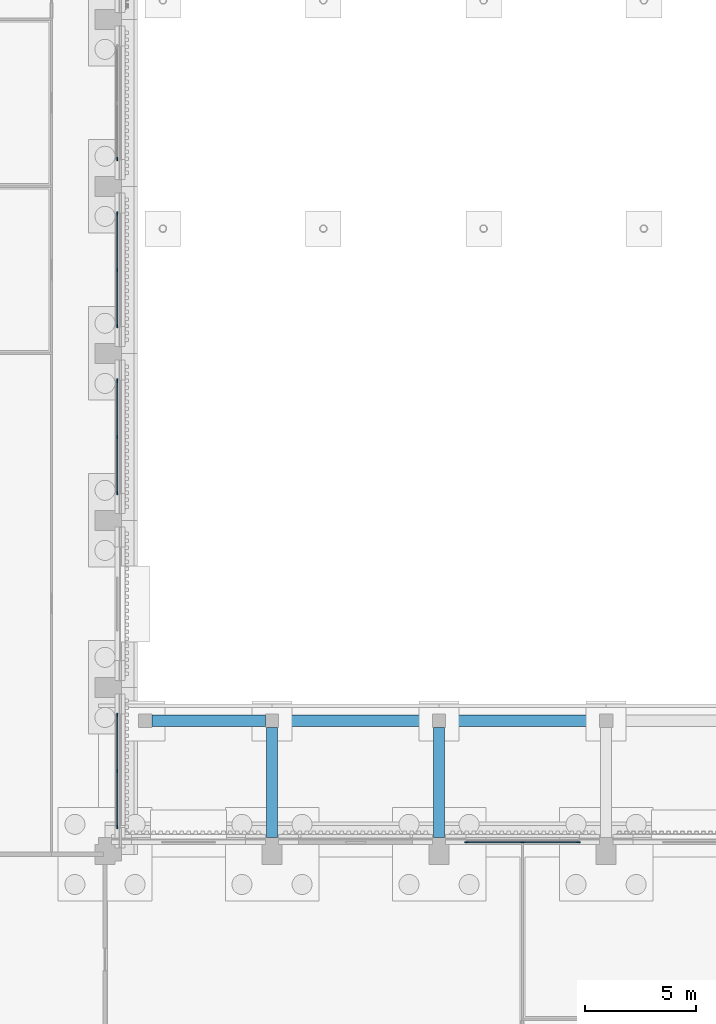
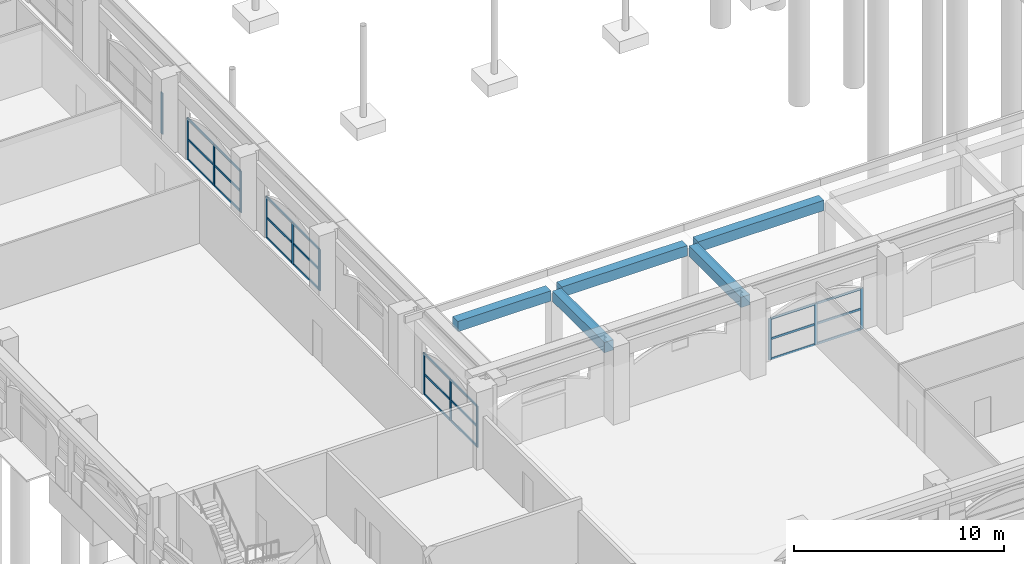
# One storey, part 22 of 99: 37 members, 5 beams, 5 elements without a shape of their own.
"""IFC4 building model written with IfcOpenShell, lengths in metres."""

from ifc_helpers import new_model, si_unit, direction, frame, origin, origin_2d, place, context, subcontext, project, spatial, rectangle, extrude, material, layer, layer_set, material_profile, profile_set, type_object, element, aggregate, save


model = new_model("IFC4")

# Units and contexts
model_context = context("Model", 3, precision=1e-05, world=origin(), true_north=direction((0.0, 1.0)))
body_context = subcontext(model_context, "Body", "Model", "MODEL_VIEW")
ifc_project = project(units=[si_unit("LENGTHUNIT", "METRE"), si_unit("AREAUNIT", "SQUARE_METRE"), si_unit("VOLUMEUNIT", "CUBIC_METRE"), si_unit("PLANEANGLEUNIT", "RADIAN"), si_unit("MASSUNIT", "GRAM", prefix="KILO")], contexts=[model_context])

# Site, building, storey
site_placement = place(None, origin())
site = spatial("IfcSite", under=ifc_project, at=site_placement, CompositionType="ELEMENT")
building_placement = place(site_placement, origin())
building = spatial("IfcBuilding", under=site, at=building_placement, Name="Cour d'Honneur Mobility Palace", CompositionType="ELEMENT")
storey_placement = place(building_placement, origin())
storey = spatial("IfcBuildingStorey", under=building, at=storey_placement, Name="L00", CompositionType="ELEMENT", Elevation=0.0)

# Beams
ifc_material_1 = material(Name="Concrete C50", Category="concrete")
ifc_material_profile_1 = material_profile(ifc_material_1, rectangle(XDim=0.5, YDim=0.60009765625, at=origin_2d()), Name="Arcade beam 500x600")
ifc_profile_set_1 = profile_set([ifc_material_profile_1], Name="Concrete C50")
beam_type = type_object("IfcBeamType", Name="Arcade beam 500x600", PredefinedType="BEAM", material=ifc_profile_set_1)
beam_placement = place(storey_placement, frame((19.5, 68.39990234375, 3.699951171875), z_axis=(1.0, 0.0, 0.0), x_axis=(0.0, 1.0, 0.0)))
element("IfcBeam", 1, at=beam_placement, inside=storey, type_object=beam_type, Name="Arcade beam AB-LW1", PredefinedType="BEAM", context=body_context, shape_type="SweptSolid", body=[
    extrude(rectangle(XDim=0.5, YDim=0.60009765625, at=origin_2d()), origin(), (0.0, 0.0, 1.0), 5.10009765625),
])
for number, where, z_axis, x_axis, name in (
    (2, (25.199951171875, 68.39990234375, 3.699951171875), (1.0, 0.0, 0.0), (0.0, 1.0, 0.0), "Arcade beam AB-LW2"),
    (3, (32.699951171875, 68.39990234375, 3.699951171875), (1.0, 0.0, 0.0), (0.0, 1.0, 0.0), "Arcade beam AB-LW3"),
):
    element("IfcBeam", number, at=place(storey_placement, frame(where, z_axis=z_axis, x_axis=x_axis)), inside=storey, type_object=beam_type, Name=name, PredefinedType="BEAM", context=body_context, shape_type="SweptSolid", body=[
        extrude(rectangle(XDim=0.5, YDim=0.60009765625, at=origin_2d()), origin(), (0.0, 0.0, 1.0), 6.900146484375),
    ])
for number, where, z_axis, x_axis, name in (
    (4, (24.89990234375, 63.14990234375, 3.699951171875), (0.0, 1.0, 0.0), (-1.0, 0.0, 0.0), "Arcade beam AB-TW2"),
    (5, (32.39990234375, 63.14990234375, 3.699951171875), (0.0, 1.0, 0.0), (-1.0, 0.0, 0.0), "Arcade beam AB-TW3"),
):
    element("IfcBeam", number, at=place(storey_placement, frame(where, z_axis=z_axis, x_axis=x_axis)), inside=storey, type_object=beam_type, Name=name, PredefinedType="BEAM", context=body_context, shape_type="SweptSolid", body=[
        extrude(rectangle(XDim=0.5, YDim=0.60009765625, at=origin_2d()), origin(), (0.0, 0.0, 1.0), 4.9501953125),
    ])

# Curtain wall, members
ifc_material_2 = material(Name="Aluminium and glass", Category="aluminium")
ifc_layer = layer(ifc_material_2, 0.10009765625)
ifc_layer_set = layer_set([ifc_layer], Name="Aluminium and glass")
curtain_wall_type = type_object("IfcCurtainWallType", Name="Curtain wall run", PredefinedType="NOTDEFINED", material=ifc_layer_set)
curtain_wall_1_placement = place(storey_placement, origin())
curtain_wall_1 = element("IfcCurtainWall", 6, at=curtain_wall_1_placement, inside=storey, type_object=curtain_wall_type, Name="Curtain wall CW-9", PredefinedType="NOTDEFINED")
ifc_material_3 = material(Name="Aluminium", Category="aluminium")
ifc_material_profile_2 = material_profile(ifc_material_3, rectangle(XDim=0.06005859375, YDim=0.159912109375, at=origin_2d()), Name="Curtain wall mullion")
ifc_profile_set_2 = profile_set([ifc_material_profile_2], Name="Aluminium")
member_type_1 = type_object("IfcMemberType", Name="Curtain wall mullion", PredefinedType="MULLION", material=ifc_profile_set_2)
member_1_placement = place(storey_placement, frame((38.669921875, 62.949951171875, 0.0), z_axis=(0.0, 0.0, 1.0), x_axis=(0.0, -1.0, 0.0)))
member_1 = element("IfcMember", 7, at=member_1_placement, type_object=member_type_1, Name="CW-9 mullion 1", PredefinedType="MULLION", context=body_context, shape_type="SweptSolid", body=[
    extrude(rectangle(XDim=0.06005859375, YDim=0.159912109375, at=origin_2d()), origin(), (0.0, 0.0, 1.0), 2.39990234375),
])
member_2_placement = place(storey_placement, frame((36.14990234375, 62.949951171875, 0.0), z_axis=(0.0, 0.0, 1.0), x_axis=(0.0, -1.0, 0.0)))
member_2 = element("IfcMember", 8, at=member_2_placement, type_object=member_type_1, Name="CW-9 mullion 2", PredefinedType="MULLION", context=body_context, shape_type="SweptSolid", body=[
    extrude(rectangle(XDim=0.06005859375, YDim=0.159912109375, at=origin_2d()), origin(), (0.0, 0.0, 1.0), 2.39990234375),
])
member_3_placement = place(storey_placement, frame((33.6298828125, 62.949951171875, 0.0), z_axis=(0.0, 0.0, 1.0), x_axis=(0.0, -1.0, 0.0)))
member_3 = element("IfcMember", 9, at=member_3_placement, type_object=member_type_1, Name="CW-9 mullion 3", PredefinedType="MULLION", context=body_context, shape_type="SweptSolid", body=[
    extrude(rectangle(XDim=0.06005859375, YDim=0.159912109375, at=origin_2d()), origin(), (0.0, 0.0, 1.0), 2.39990234375),
])

curtain_wall_2_placement = place(storey_placement, origin())
curtain_wall_2 = element("IfcCurtainWall", 10, at=curtain_wall_2_placement, inside=storey, type_object=curtain_wall_type, Name="Curtain wall CW-10", PredefinedType="NOTDEFINED")
member_4_placement = place(storey_placement, frame((17.949951171875, 63.6298828125, 0.0), z_axis=(0.0, 0.0, 1.0), x_axis=(-1.0, 0.0, 0.0)))
member_4 = element("IfcMember", 11, at=member_4_placement, type_object=member_type_1, Name="CW-10 mullion 1", PredefinedType="MULLION", context=body_context, shape_type="SweptSolid", body=[
    extrude(rectangle(XDim=0.06005859375, YDim=0.159912109375, at=origin_2d()), origin(), (0.0, 0.0, 1.0), 2.39990234375),
])
member_5_placement = place(storey_placement, frame((17.949951171875, 66.14990234375, 0.0), z_axis=(0.0, 0.0, 1.0), x_axis=(-1.0, 0.0, 0.0)))
member_5 = element("IfcMember", 12, at=member_5_placement, type_object=member_type_1, Name="CW-10 mullion 2", PredefinedType="MULLION", context=body_context, shape_type="SweptSolid", body=[
    extrude(rectangle(XDim=0.06005859375, YDim=0.159912109375, at=origin_2d()), origin(), (0.0, 0.0, 1.0), 2.39990234375),
])
member_6_placement = place(storey_placement, frame((17.949951171875, 68.669921875, 0.0), z_axis=(0.0, 0.0, 1.0), x_axis=(-1.0, 0.0, 0.0)))
member_6 = element("IfcMember", 13, at=member_6_placement, type_object=member_type_1, Name="CW-10 mullion 3", PredefinedType="MULLION", context=body_context, shape_type="SweptSolid", body=[
    extrude(rectangle(XDim=0.06005859375, YDim=0.159912109375, at=origin_2d()), origin(), (0.0, 0.0, 1.0), 2.39990234375),
])

curtain_wall_3_placement = place(storey_placement, origin())
curtain_wall_3 = element("IfcCurtainWall", 14, at=curtain_wall_3_placement, inside=storey, type_object=curtain_wall_type, Name="Curtain wall CW-11", PredefinedType="NOTDEFINED")
member_7_placement = place(storey_placement, frame((17.949951171875, 78.6298828125, 0.0), z_axis=(0.0, 0.0, 1.0), x_axis=(-1.0, 0.0, 0.0)))
member_7 = element("IfcMember", 15, at=member_7_placement, type_object=member_type_1, Name="CW-11 mullion 1", PredefinedType="MULLION", context=body_context, shape_type="SweptSolid", body=[
    extrude(rectangle(XDim=0.06005859375, YDim=0.159912109375, at=origin_2d()), origin(), (0.0, 0.0, 1.0), 2.39990234375),
])
member_8_placement = place(storey_placement, frame((17.949951171875, 81.14990234375, 0.0), z_axis=(0.0, 0.0, 1.0), x_axis=(-1.0, 0.0, 0.0)))
member_8 = element("IfcMember", 16, at=member_8_placement, type_object=member_type_1, Name="CW-11 mullion 2", PredefinedType="MULLION", context=body_context, shape_type="SweptSolid", body=[
    extrude(rectangle(XDim=0.06005859375, YDim=0.159912109375, at=origin_2d()), origin(), (0.0, 0.0, 1.0), 2.39990234375),
])
member_9_placement = place(storey_placement, frame((17.949951171875, 83.669921875, 0.0), z_axis=(0.0, 0.0, 1.0), x_axis=(-1.0, 0.0, 0.0)))
member_9 = element("IfcMember", 17, at=member_9_placement, type_object=member_type_1, Name="CW-11 mullion 3", PredefinedType="MULLION", context=body_context, shape_type="SweptSolid", body=[
    extrude(rectangle(XDim=0.06005859375, YDim=0.159912109375, at=origin_2d()), origin(), (0.0, 0.0, 1.0), 2.39990234375),
])

curtain_wall_4_placement = place(storey_placement, origin())
curtain_wall_4 = element("IfcCurtainWall", 18, at=curtain_wall_4_placement, inside=storey, type_object=curtain_wall_type, Name="Curtain wall CW-12", PredefinedType="NOTDEFINED")
member_10_placement = place(storey_placement, frame((17.949951171875, 86.1298828125, 0.0), z_axis=(0.0, 0.0, 1.0), x_axis=(-1.0, 0.0, 0.0)))
member_10 = element("IfcMember", 19, at=member_10_placement, type_object=member_type_1, Name="CW-12 mullion 1", PredefinedType="MULLION", context=body_context, shape_type="SweptSolid", body=[
    extrude(rectangle(XDim=0.06005859375, YDim=0.159912109375, at=origin_2d()), origin(), (0.0, 0.0, 1.0), 2.39990234375),
])
member_11_placement = place(storey_placement, frame((17.949951171875, 88.64990234375, 0.0), z_axis=(0.0, 0.0, 1.0), x_axis=(-1.0, 0.0, 0.0)))
member_11 = element("IfcMember", 20, at=member_11_placement, type_object=member_type_1, Name="CW-12 mullion 2", PredefinedType="MULLION", context=body_context, shape_type="SweptSolid", body=[
    extrude(rectangle(XDim=0.06005859375, YDim=0.159912109375, at=origin_2d()), origin(), (0.0, 0.0, 1.0), 2.39990234375),
])
member_12_placement = place(storey_placement, frame((17.949951171875, 91.169921875, 0.0), z_axis=(0.0, 0.0, 1.0), x_axis=(-1.0, 0.0, 0.0)))
member_12 = element("IfcMember", 21, at=member_12_placement, type_object=member_type_1, Name="CW-12 mullion 3", PredefinedType="MULLION", context=body_context, shape_type="SweptSolid", body=[
    extrude(rectangle(XDim=0.06005859375, YDim=0.159912109375, at=origin_2d()), origin(), (0.0, 0.0, 1.0), 2.39990234375),
])

# Curtain wall, member
curtain_wall_5_placement = place(storey_placement, origin())
curtain_wall_5 = element("IfcCurtainWall", 22, at=curtain_wall_5_placement, inside=storey, type_object=curtain_wall_type, Name="Curtain wall CW-13", PredefinedType="NOTDEFINED")
member_13_placement = place(storey_placement, frame((17.949951171875, 93.6298828125, 0.0), z_axis=(0.0, 0.0, 1.0), x_axis=(-1.0, 0.0, 0.0)))
member_13 = element("IfcMember", 23, at=member_13_placement, type_object=member_type_1, Name="CW-13 mullion 1", PredefinedType="MULLION", context=body_context, shape_type="SweptSolid", body=[
    extrude(rectangle(XDim=0.06005859375, YDim=0.159912109375, at=origin_2d()), origin(), (0.0, 0.0, 1.0), 2.39990234375),
])
aggregate(curtain_wall_5, [member_13])

# Member
ifc_material_4 = material(Name="Aluminium", Category="aluminium")
ifc_material_profile_3 = material_profile(ifc_material_4, rectangle(XDim=0.06005859375, YDim=0.1201171875, at=origin_2d()), Name="Curtain wall transom")
ifc_profile_set_3 = profile_set([ifc_material_profile_3], Name="Aluminium")
member_type_2 = type_object("IfcMemberType", Name="Curtain wall transom", PredefinedType="USERDEFINED", material=ifc_profile_set_3)
member_14_placement = place(storey_placement, frame((38.639892578125, 62.949951171875, 0.030029296875), z_axis=(-1.0, 0.0, 0.0), x_axis=(0.0, -1.0, 0.0)))
member_14 = element("IfcMember", 24, at=member_14_placement, type_object=member_type_2, Name="CW-9 transom 1.1", ObjectType="TRANSOM", PredefinedType="USERDEFINED", context=body_context, shape_type="SweptSolid", body=[
    extrude(rectangle(XDim=0.06005859375, YDim=0.1201171875, at=origin_2d()), origin(), (0.0, 0.0, 1.0), 2.4599609375),
])

member_15_placement = place(storey_placement, frame((38.639892578125, 62.949951171875, 1.199951171875), z_axis=(-1.0, 0.0, 0.0), x_axis=(0.0, -1.0, 0.0)))
member_15 = element("IfcMember", 25, at=member_15_placement, type_object=member_type_2, Name="CW-9 transom 1.2", ObjectType="TRANSOM", PredefinedType="USERDEFINED", context=body_context, shape_type="SweptSolid", body=[
    extrude(rectangle(XDim=0.06005859375, YDim=0.1201171875, at=origin_2d()), origin(), (0.0, 0.0, 1.0), 2.4599609375),
])

member_16_placement = place(storey_placement, frame((38.639892578125, 62.949951171875, 2.3701171875), z_axis=(-1.0, 0.0, 0.0), x_axis=(0.0, -1.0, 0.0)))
member_16 = element("IfcMember", 26, at=member_16_placement, type_object=member_type_2, Name="CW-9 transom 1.3", ObjectType="TRANSOM", PredefinedType="USERDEFINED", context=body_context, shape_type="SweptSolid", body=[
    extrude(rectangle(XDim=0.06005859375, YDim=0.1201171875, at=origin_2d()), origin(), (0.0, 0.0, 1.0), 2.4599609375),
])

member_17_placement = place(storey_placement, frame((36.1201171875, 62.949951171875, 0.030029296875), z_axis=(-1.0, 0.0, 0.0), x_axis=(0.0, -1.0, 0.0)))
member_17 = element("IfcMember", 27, at=member_17_placement, type_object=member_type_2, Name="CW-9 transom 2.1", ObjectType="TRANSOM", PredefinedType="USERDEFINED", context=body_context, shape_type="SweptSolid", body=[
    extrude(rectangle(XDim=0.06005859375, YDim=0.1201171875, at=origin_2d()), origin(), (0.0, 0.0, 1.0), 2.460205078125),
])

member_18_placement = place(storey_placement, frame((36.1201171875, 62.949951171875, 1.199951171875), z_axis=(-1.0, 0.0, 0.0), x_axis=(0.0, -1.0, 0.0)))
member_18 = element("IfcMember", 28, at=member_18_placement, type_object=member_type_2, Name="CW-9 transom 2.2", ObjectType="TRANSOM", PredefinedType="USERDEFINED", context=body_context, shape_type="SweptSolid", body=[
    extrude(rectangle(XDim=0.06005859375, YDim=0.1201171875, at=origin_2d()), origin(), (0.0, 0.0, 1.0), 2.460205078125),
])

member_19_placement = place(storey_placement, frame((36.1201171875, 62.949951171875, 2.3701171875), z_axis=(-1.0, 0.0, 0.0), x_axis=(0.0, -1.0, 0.0)))
member_19 = element("IfcMember", 29, at=member_19_placement, type_object=member_type_2, Name="CW-9 transom 2.3", ObjectType="TRANSOM", PredefinedType="USERDEFINED", context=body_context, shape_type="SweptSolid", body=[
    extrude(rectangle(XDim=0.06005859375, YDim=0.1201171875, at=origin_2d()), origin(), (0.0, 0.0, 1.0), 2.460205078125),
])

aggregate(curtain_wall_1, [member_1, member_2, member_3, member_14, member_15, member_16, member_17, member_18, member_19])

member_20_placement = place(storey_placement, frame((17.949951171875, 63.659912109375, 0.030029296875), z_axis=(0.0, 1.0, 0.0), x_axis=(-1.0, 0.0, 0.0)))
member_20 = element("IfcMember", 30, at=member_20_placement, type_object=member_type_2, Name="CW-10 transom 1.1", ObjectType="TRANSOM", PredefinedType="USERDEFINED", context=body_context, shape_type="SweptSolid", body=[
    extrude(rectangle(XDim=0.06005859375, YDim=0.1201171875, at=origin_2d()), origin(), (0.0, 0.0, 1.0), 2.460205078125),
])

member_21_placement = place(storey_placement, frame((17.949951171875, 63.659912109375, 1.199951171875), z_axis=(0.0, 1.0, 0.0), x_axis=(-1.0, 0.0, 0.0)))
member_21 = element("IfcMember", 31, at=member_21_placement, type_object=member_type_2, Name="CW-10 transom 1.2", ObjectType="TRANSOM", PredefinedType="USERDEFINED", context=body_context, shape_type="SweptSolid", body=[
    extrude(rectangle(XDim=0.06005859375, YDim=0.1201171875, at=origin_2d()), origin(), (0.0, 0.0, 1.0), 2.460205078125),
])

member_22_placement = place(storey_placement, frame((17.949951171875, 63.659912109375, 2.3701171875), z_axis=(0.0, 1.0, 0.0), x_axis=(-1.0, 0.0, 0.0)))
member_22 = element("IfcMember", 32, at=member_22_placement, type_object=member_type_2, Name="CW-10 transom 1.3", ObjectType="TRANSOM", PredefinedType="USERDEFINED", context=body_context, shape_type="SweptSolid", body=[
    extrude(rectangle(XDim=0.06005859375, YDim=0.1201171875, at=origin_2d()), origin(), (0.0, 0.0, 1.0), 2.460205078125),
])

member_23_placement = place(storey_placement, frame((17.949951171875, 66.179931640625, 0.030029296875), z_axis=(0.0, 1.0, 0.0), x_axis=(-1.0, 0.0, 0.0)))
member_23 = element("IfcMember", 33, at=member_23_placement, type_object=member_type_2, Name="CW-10 transom 2.1", ObjectType="TRANSOM", PredefinedType="USERDEFINED", context=body_context, shape_type="SweptSolid", body=[
    extrude(rectangle(XDim=0.06005859375, YDim=0.1201171875, at=origin_2d()), origin(), (0.0, 0.0, 1.0), 2.4599609375),
])

member_24_placement = place(storey_placement, frame((17.949951171875, 66.179931640625, 1.199951171875), z_axis=(0.0, 1.0, 0.0), x_axis=(-1.0, 0.0, 0.0)))
member_24 = element("IfcMember", 34, at=member_24_placement, type_object=member_type_2, Name="CW-10 transom 2.2", ObjectType="TRANSOM", PredefinedType="USERDEFINED", context=body_context, shape_type="SweptSolid", body=[
    extrude(rectangle(XDim=0.06005859375, YDim=0.1201171875, at=origin_2d()), origin(), (0.0, 0.0, 1.0), 2.4599609375),
])

member_25_placement = place(storey_placement, frame((17.949951171875, 66.179931640625, 2.3701171875), z_axis=(0.0, 1.0, 0.0), x_axis=(-1.0, 0.0, 0.0)))
member_25 = element("IfcMember", 35, at=member_25_placement, type_object=member_type_2, Name="CW-10 transom 2.3", ObjectType="TRANSOM", PredefinedType="USERDEFINED", context=body_context, shape_type="SweptSolid", body=[
    extrude(rectangle(XDim=0.06005859375, YDim=0.1201171875, at=origin_2d()), origin(), (0.0, 0.0, 1.0), 2.4599609375),
])

aggregate(curtain_wall_2, [member_4, member_5, member_6, member_20, member_21, member_22, member_23, member_24, member_25])

member_26_placement = place(storey_placement, frame((17.949951171875, 78.659912109375, 0.030029296875), z_axis=(0.0, 1.0, 0.0), x_axis=(-1.0, 0.0, 0.0)))
member_26 = element("IfcMember", 36, at=member_26_placement, type_object=member_type_2, Name="CW-11 transom 1.1", ObjectType="TRANSOM", PredefinedType="USERDEFINED", context=body_context, shape_type="SweptSolid", body=[
    extrude(rectangle(XDim=0.06005859375, YDim=0.1201171875, at=origin_2d()), origin(), (0.0, 0.0, 1.0), 2.460205078125),
])

member_27_placement = place(storey_placement, frame((17.949951171875, 78.659912109375, 1.199951171875), z_axis=(0.0, 1.0, 0.0), x_axis=(-1.0, 0.0, 0.0)))
member_27 = element("IfcMember", 37, at=member_27_placement, type_object=member_type_2, Name="CW-11 transom 1.2", ObjectType="TRANSOM", PredefinedType="USERDEFINED", context=body_context, shape_type="SweptSolid", body=[
    extrude(rectangle(XDim=0.06005859375, YDim=0.1201171875, at=origin_2d()), origin(), (0.0, 0.0, 1.0), 2.460205078125),
])

member_28_placement = place(storey_placement, frame((17.949951171875, 78.659912109375, 2.3701171875), z_axis=(0.0, 1.0, 0.0), x_axis=(-1.0, 0.0, 0.0)))
member_28 = element("IfcMember", 38, at=member_28_placement, type_object=member_type_2, Name="CW-11 transom 1.3", ObjectType="TRANSOM", PredefinedType="USERDEFINED", context=body_context, shape_type="SweptSolid", body=[
    extrude(rectangle(XDim=0.06005859375, YDim=0.1201171875, at=origin_2d()), origin(), (0.0, 0.0, 1.0), 2.460205078125),
])

member_29_placement = place(storey_placement, frame((17.949951171875, 81.179931640625, 0.030029296875), z_axis=(0.0, 1.0, 0.0), x_axis=(-1.0, 0.0, 0.0)))
member_29 = element("IfcMember", 39, at=member_29_placement, type_object=member_type_2, Name="CW-11 transom 2.1", ObjectType="TRANSOM", PredefinedType="USERDEFINED", context=body_context, shape_type="SweptSolid", body=[
    extrude(rectangle(XDim=0.06005859375, YDim=0.1201171875, at=origin_2d()), origin(), (0.0, 0.0, 1.0), 2.4599609375),
])

member_30_placement = place(storey_placement, frame((17.949951171875, 81.179931640625, 1.199951171875), z_axis=(0.0, 1.0, 0.0), x_axis=(-1.0, 0.0, 0.0)))
member_30 = element("IfcMember", 40, at=member_30_placement, type_object=member_type_2, Name="CW-11 transom 2.2", ObjectType="TRANSOM", PredefinedType="USERDEFINED", context=body_context, shape_type="SweptSolid", body=[
    extrude(rectangle(XDim=0.06005859375, YDim=0.1201171875, at=origin_2d()), origin(), (0.0, 0.0, 1.0), 2.4599609375),
])

member_31_placement = place(storey_placement, frame((17.949951171875, 81.179931640625, 2.3701171875), z_axis=(0.0, 1.0, 0.0), x_axis=(-1.0, 0.0, 0.0)))
member_31 = element("IfcMember", 41, at=member_31_placement, type_object=member_type_2, Name="CW-11 transom 2.3", ObjectType="TRANSOM", PredefinedType="USERDEFINED", context=body_context, shape_type="SweptSolid", body=[
    extrude(rectangle(XDim=0.06005859375, YDim=0.1201171875, at=origin_2d()), origin(), (0.0, 0.0, 1.0), 2.4599609375),
])

aggregate(curtain_wall_3, [member_7, member_8, member_9, member_26, member_27, member_28, member_29, member_30, member_31])

member_32_placement = place(storey_placement, frame((17.949951171875, 86.159912109375, 0.030029296875), z_axis=(0.0, 1.0, 0.0), x_axis=(-1.0, 0.0, 0.0)))
member_32 = element("IfcMember", 42, at=member_32_placement, type_object=member_type_2, Name="CW-12 transom 1.1", ObjectType="TRANSOM", PredefinedType="USERDEFINED", context=body_context, shape_type="SweptSolid", body=[
    extrude(rectangle(XDim=0.06005859375, YDim=0.1201171875, at=origin_2d()), origin(), (0.0, 0.0, 1.0), 2.460205078125),
])

member_33_placement = place(storey_placement, frame((17.949951171875, 86.159912109375, 1.199951171875), z_axis=(0.0, 1.0, 0.0), x_axis=(-1.0, 0.0, 0.0)))
member_33 = element("IfcMember", 43, at=member_33_placement, type_object=member_type_2, Name="CW-12 transom 1.2", ObjectType="TRANSOM", PredefinedType="USERDEFINED", context=body_context, shape_type="SweptSolid", body=[
    extrude(rectangle(XDim=0.06005859375, YDim=0.1201171875, at=origin_2d()), origin(), (0.0, 0.0, 1.0), 2.460205078125),
])

member_34_placement = place(storey_placement, frame((17.949951171875, 86.159912109375, 2.3701171875), z_axis=(0.0, 1.0, 0.0), x_axis=(-1.0, 0.0, 0.0)))
member_34 = element("IfcMember", 44, at=member_34_placement, type_object=member_type_2, Name="CW-12 transom 1.3", ObjectType="TRANSOM", PredefinedType="USERDEFINED", context=body_context, shape_type="SweptSolid", body=[
    extrude(rectangle(XDim=0.06005859375, YDim=0.1201171875, at=origin_2d()), origin(), (0.0, 0.0, 1.0), 2.460205078125),
])

member_35_placement = place(storey_placement, frame((17.949951171875, 88.679931640625, 0.030029296875), z_axis=(0.0, 1.0, 0.0), x_axis=(-1.0, 0.0, 0.0)))
member_35 = element("IfcMember", 45, at=member_35_placement, type_object=member_type_2, Name="CW-12 transom 2.1", ObjectType="TRANSOM", PredefinedType="USERDEFINED", context=body_context, shape_type="SweptSolid", body=[
    extrude(rectangle(XDim=0.06005859375, YDim=0.1201171875, at=origin_2d()), origin(), (0.0, 0.0, 1.0), 2.4599609375),
])

member_36_placement = place(storey_placement, frame((17.949951171875, 88.679931640625, 1.199951171875), z_axis=(0.0, 1.0, 0.0), x_axis=(-1.0, 0.0, 0.0)))
member_36 = element("IfcMember", 46, at=member_36_placement, type_object=member_type_2, Name="CW-12 transom 2.2", ObjectType="TRANSOM", PredefinedType="USERDEFINED", context=body_context, shape_type="SweptSolid", body=[
    extrude(rectangle(XDim=0.06005859375, YDim=0.1201171875, at=origin_2d()), origin(), (0.0, 0.0, 1.0), 2.4599609375),
])

member_37_placement = place(storey_placement, frame((17.949951171875, 88.679931640625, 2.3701171875), z_axis=(0.0, 1.0, 0.0), x_axis=(-1.0, 0.0, 0.0)))
member_37 = element("IfcMember", 47, at=member_37_placement, type_object=member_type_2, Name="CW-12 transom 2.3", ObjectType="TRANSOM", PredefinedType="USERDEFINED", context=body_context, shape_type="SweptSolid", body=[
    extrude(rectangle(XDim=0.06005859375, YDim=0.1201171875, at=origin_2d()), origin(), (0.0, 0.0, 1.0), 2.4599609375),
])

aggregate(curtain_wall_4, [member_10, member_11, member_12, member_32, member_33, member_34, member_35, member_36, member_37])

save(model, "model.ifc")
